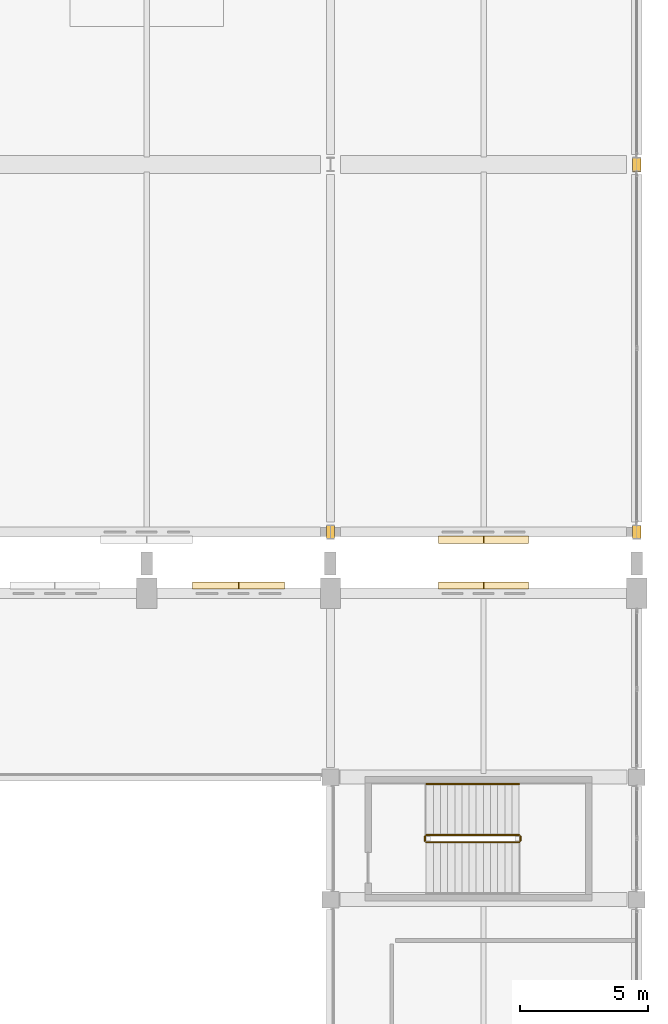
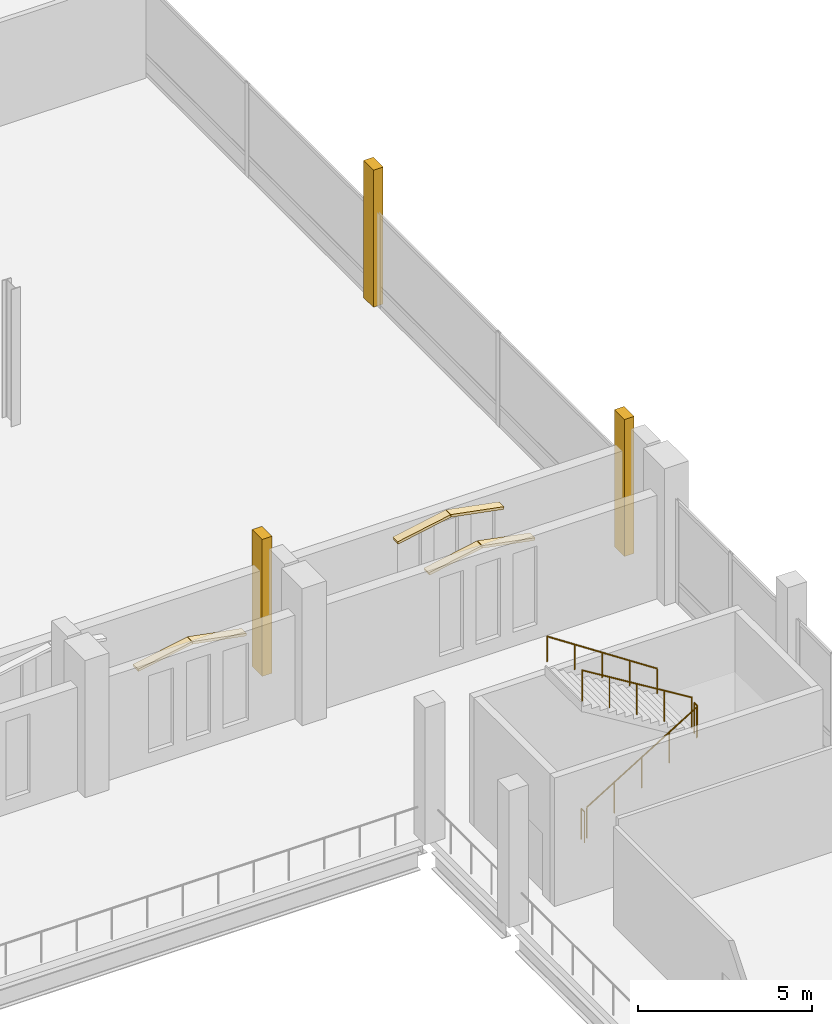
# One storey, part 214 of 220: 9 coverings, 5 railings.
"""IFC4 building model written with IfcOpenShell, lengths in metres."""

from ifc_helpers import new_model, si_unit, direction, frame, origin, origin_2d, place, context, subcontext, project, spatial, polyline, circle, outline, extrude, material, layer, layer_set, type_object, element, save


model = new_model("IFC4")

# Units and contexts
model_context = context("Model", 3, precision=1e-05, world=origin(), true_north=direction((0.0, 1.0)))
body_context = subcontext(model_context, "Body", "Model", "MODEL_VIEW")
ifc_project = project(units=[si_unit("LENGTHUNIT", "METRE"), si_unit("AREAUNIT", "SQUARE_METRE"), si_unit("VOLUMEUNIT", "CUBIC_METRE"), si_unit("PLANEANGLEUNIT", "RADIAN"), si_unit("MASSUNIT", "GRAM", prefix="KILO")], contexts=[model_context])

# Site, building, storey
site_placement = place(None, origin())
site = spatial("IfcSite", under=ifc_project, at=site_placement, CompositionType="ELEMENT")
building_placement = place(site_placement, origin())
building = spatial("IfcBuilding", under=site, at=building_placement, Name="Cendralis Lancet Convention Centre", CompositionType="ELEMENT")
storey_placement = place(building_placement, frame((0.0, 0.0, 5.39990234375)))
storey = spatial("IfcBuildingStorey", under=building, at=storey_placement, Name="L01", CompositionType="ELEMENT", Elevation=5.39990234375)

# Coverings
ifc_material_1 = material(Name="Warm buff sandstone chevron cassette", Category="masonry")
ifc_layer = layer(ifc_material_1, 0.06005859375, Name="Warm buff sandstone chevron cassette")
ifc_layer_set = layer_set([ifc_layer], Name="Warm buff sandstone chevron cassette")
covering_type = type_object("IfcCoveringType", Name="ARC-CV-CLAD1", PredefinedType="CLADDING", material=ifc_layer_set)
for number, where, z_axis, x_axis, name in (
    (1, (191.39990234375, 91.64990234375, 3.27001953125), (-0.183932374671, 0.0, 0.982938900211), (0.0, -1.0, 0.0), "L01 Gothic Pointed Lancet Hood-Mould #0131L"),
    (2, (193.2099609375, 91.64990234375, 3.60498046875), (0.183932374671, 0.0, 0.982938900211), (0.0, -1.0, 0.0), "L01 Gothic Pointed Lancet Hood-Mould #0132R"),
):
    element("IfcCovering", number, at=place(storey_placement, frame(where, z_axis=z_axis, x_axis=x_axis)), inside=storey, type_object=covering_type, Name=name, PredefinedType="CLADDING", context=body_context, shape_type="SweptSolid", body=[
        extrude(outline(polyline([(0.0, 0.0), (0.284912109375, 0.0), (0.284912109375, 1.8211091880847667), (0.0, 1.8211091880847667), (0.0, 0.0)])), origin(), (0.0, 0.0, -1.0), 0.090087890625),
    ])
for number, where, z_axis, x_axis, name in (
    (3, (201.0400390625, 91.64990234375, 3.27001953125), (-0.187993527685, 0.0, 0.982170267086), (0.0, -1.0, 0.0), "L01 Gothic Pointed Lancet Hood-Mould #0133L"),
    (4, (202.81005859375, 91.64990234375, 3.60498046875), (0.187993527685, 0.0, 0.982170267086), (0.0, -1.0, 0.0), "L01 Gothic Pointed Lancet Hood-Mould #0134R"),
):
    element("IfcCovering", number, at=place(storey_placement, frame(where, z_axis=z_axis, x_axis=x_axis)), inside=storey, type_object=covering_type, Name=name, PredefinedType="CLADDING", context=body_context, shape_type="SweptSolid", body=[
        extrude(outline(polyline([(0.0, 0.0), (0.284912109375, 0.0), (0.284912109375, 1.7817684556784807), (0.0, 1.7817684556784807), (0.0, 0.0)])), origin(), (0.0, 0.0, -1.0), 0.090087890625),
    ])
for number, where, z_axis, x_axis, name in (
    (5, (204.56005859375, 93.159912109375, 3.27001953125), (0.187993527685, 0.0, 0.982170267086), (0.0, 1.0, 0.0), "L01 Gothic Pointed Lancet Hood-Mould #0201L"),
    (6, (202.7900390625, 93.159912109375, 3.60498046875), (-0.187993527685, 0.0, 0.982170267086), (0.0, 1.0, 0.0), "L01 Gothic Pointed Lancet Hood-Mould #0202R"),
):
    element("IfcCovering", number, at=place(storey_placement, frame(where, z_axis=z_axis, x_axis=x_axis)), inside=storey, type_object=covering_type, Name=name, PredefinedType="CLADDING", context=body_context, shape_type="SweptSolid", body=[
        extrude(outline(polyline([(0.0, 0.0), (0.28515625, 0.0), (0.28515625, 1.7817684556784807), (0.0, 1.7817684556784807), (0.0, 0.0)])), origin(), (0.0, 0.0, -1.0), 0.090087890625),
    ])
covering_1_placement = place(storey_placement, origin())
element("IfcCovering", 7, at=covering_1_placement, inside=storey, type_object=covering_type, Name="Exterior Column Stone Fire-Casing L01 #071", PredefinedType="CLADDING", context=body_context, shape_type="SweptSolid", body=[
    extrude(outline(polyline([(196.637939453125, 93.31298828125), (196.9619140625, 93.31298828125), (196.9619140625, 93.886962890625), (196.637939453125, 93.886962890625), (196.637939453125, 93.31298828125)])), origin(), (0.0, 0.0, 1.0), 4.800048828125),
])
covering_2_placement = place(storey_placement, origin())
element("IfcCovering", 8, at=covering_2_placement, inside=storey, type_object=covering_type, Name="Exterior Column Stone Fire-Casing L01 #077", PredefinedType="CLADDING", context=body_context, shape_type="SweptSolid", body=[
    extrude(outline(polyline([(208.637939453125, 93.31298828125), (208.9619140625, 93.31298828125), (208.9619140625, 93.886962890625), (208.637939453125, 93.886962890625), (208.637939453125, 93.31298828125)])), origin(), (0.0, 0.0, 1.0), 4.800048828125),
])
covering_3_placement = place(storey_placement, origin())
element("IfcCovering", 9, at=covering_3_placement, inside=storey, type_object=covering_type, Name="Exterior Column Stone Fire-Casing L01 #080", PredefinedType="CLADDING", context=body_context, shape_type="SweptSolid", body=[
    extrude(outline(polyline([(208.637939453125, 107.712890625), (208.9619140625, 107.712890625), (208.9619140625, 108.287109375), (208.637939453125, 108.287109375), (208.637939453125, 107.712890625)])), origin(), (0.0, 0.0, 1.0), 4.800048828125),
])

# Railings
ifc_material_2 = material(Name="Steel S355", Category="steel")
railing_type_1 = type_object("IfcRailingType", Name="ARC-RL-CGD", PredefinedType="GUARDRAIL", material=ifc_material_2)
railing_1_placement = place(storey_placement, frame((200.550048828125, 81.449951171875, 0.171630859375)))
element("IfcRailing", 10, at=railing_1_placement, inside=storey, type_object=railing_type_1, Name="L01 ST-10 stair guard 1", PredefinedType="GUARDRAIL", context=body_context, shape_type="SweptSolid", body=[
    extrude(circle(Radius=0.02392578125, at=origin_2d()), frame((0.0, 0.0, 1.076171875), z_axis=(0.852850264322, 0.0, 0.5221555579), x_axis=(0.0, 1.0, 0.0)), (0.0, 0.0, 1.0), 4.267822265625),
    extrude(circle(Radius=0.02099609375, at=origin_2d()), origin(), (0.0, 0.0, 1.0), 1.052001953125),
    extrude(circle(Radius=0.02099609375, at=origin_2d()), frame((0.909912109375, 0.0, 0.55712890625)), (0.0, 0.0, 1.0), 1.052001953125),
    extrude(circle(Radius=0.02099609375, at=origin_2d()), frame((1.81982421875, 0.0, 1.1142578125)), (0.0, 0.0, 1.0), 1.052001953125),
    extrude(circle(Radius=0.02099609375, at=origin_2d()), frame((2.72998046875, 0.0, 1.67138671875)), (0.0, 0.0, 1.0), 1.052001953125),
    extrude(circle(Radius=0.02099609375, at=origin_2d()), frame((3.639892578125, 0.0, 2.228515625)), (0.0, 0.0, 1.0), 1.052001953125),
])
railing_2_placement = place(storey_placement, frame((204.239990234375, 81.5, 2.400146484375)))
element("IfcRailing", 11, at=railing_2_placement, inside=storey, type_object=railing_type_1, Name="L01 ST-10 stair guard 2", PredefinedType="GUARDRAIL", context=body_context, shape_type="SweptSolid", body=[
    extrude(circle(Radius=0.02392578125, at=origin_2d()), frame((0.0, 0.0, 1.076171875), z_axis=(0.0, 1.0, 0.0), x_axis=(-1.0, 0.0, 0.0)), (0.0, 0.0, 1.0), 0.179931640625),
    extrude(circle(Radius=0.02099609375, at=origin_2d()), origin(), (0.0, 0.0, 1.0), 1.052001953125),
    extrude(circle(Radius=0.02099609375, at=origin_2d()), frame((0.0, 0.179931640625, 0.0)), (0.0, 0.0, 1.0), 1.052001953125),
])
railing_3_placement = place(storey_placement, frame((204.18994140625, 81.72998046875, 2.571533203125)))
element("IfcRailing", 12, at=railing_3_placement, inside=storey, type_object=railing_type_1, Name="L01 ST-10 stair guard 3", PredefinedType="GUARDRAIL", context=body_context, shape_type="SweptSolid", body=[
    extrude(circle(Radius=0.02392578125, at=origin_2d()), frame((0.0, 0.0, 1.076171875), z_axis=(-0.852850264322, 0.0, 0.5221555579), x_axis=(0.0, -1.0, 0.0)), (0.0, 0.0, 1.0), 4.267822265625),
    extrude(circle(Radius=0.02099609375, at=origin_2d()), origin(), (0.0, 0.0, 1.0), 1.052001953125),
    extrude(circle(Radius=0.02099609375, at=origin_2d()), frame((-0.909912109375, 0.0, 0.55712890625)), (0.0, 0.0, 1.0), 1.052001953125),
    extrude(circle(Radius=0.02099609375, at=origin_2d()), frame((-1.81982421875, 0.0, 1.1142578125)), (0.0, 0.0, 1.0), 1.052001953125),
    extrude(circle(Radius=0.02099609375, at=origin_2d()), frame((-2.72998046875, 0.0, 1.67138671875)), (0.0, 0.0, 1.0), 1.052001953125),
    extrude(circle(Radius=0.02099609375, at=origin_2d()), frame((-3.639892578125, 0.0, 2.228515625)), (0.0, 0.0, 1.0), 1.052001953125),
])
railing_4_placement = place(storey_placement, frame((200.5, 81.5, 0.0)))
element("IfcRailing", 13, at=railing_4_placement, inside=storey, type_object=railing_type_1, Name="L01 ST-10 stair guard 4", PredefinedType="GUARDRAIL", context=body_context, shape_type="SweptSolid", body=[
    extrude(circle(Radius=0.02392578125, at=origin_2d()), frame((0.0, 0.0, 1.076171875), z_axis=(0.0, 1.0, 0.0), x_axis=(-1.0, 0.0, 0.0)), (0.0, 0.0, 1.0), 0.179931640625),
    extrude(circle(Radius=0.02099609375, at=origin_2d()), origin(), (0.0, 0.0, 1.0), 1.052001953125),
    extrude(circle(Radius=0.02099609375, at=origin_2d()), frame((0.0, 0.179931640625, 0.0)), (0.0, 0.0, 1.0), 1.052001953125),
])
railing_type_2 = type_object("IfcRailingType", Name="ARC-RL-CHR", PredefinedType="HANDRAIL", material=ifc_material_2)
railing_5_placement = place(storey_placement, frame((204.18994140625, 83.72998046875, 2.571533203125)))
element("IfcRailing", 14, at=railing_5_placement, inside=storey, type_object=railing_type_2, Name="L01 ST-10 stair handrail 2", PredefinedType="HANDRAIL", context=body_context, shape_type="SweptSolid", body=[
    extrude(circle(Radius=0.02392578125, at=origin_2d()), frame((0.0, 0.0, 0.8759765625), z_axis=(-0.834865213223, 0.0, 0.550454426587), x_axis=(0.0, -1.0, 0.0)), (0.0, 0.0, 1.0), 4.35986328125),
    extrude(circle(Radius=0.02099609375, at=origin_2d()), origin(), (0.0, 0.0, 1.0), 0.851806640625),
    extrude(circle(Radius=0.02099609375, at=origin_2d()), frame((-0.909912109375, 0.0, 0.60009765625)), (0.0, 0.0, 1.0), 0.851806640625),
    extrude(circle(Radius=0.02099609375, at=origin_2d()), frame((-1.81982421875, 0.0, 1.199951171875)), (0.0, 0.0, 1.0), 0.851806640625),
    extrude(circle(Radius=0.02099609375, at=origin_2d()), frame((-2.72998046875, 0.0, 1.7998046875)), (0.0, 0.0, 1.0), 0.851806640625),
    extrude(circle(Radius=0.02099609375, at=origin_2d()), frame((-3.639892578125, 0.0, 2.39990234375)), (0.0, 0.0, 1.0), 0.851806640625),
])

save(model, "model.ifc")
